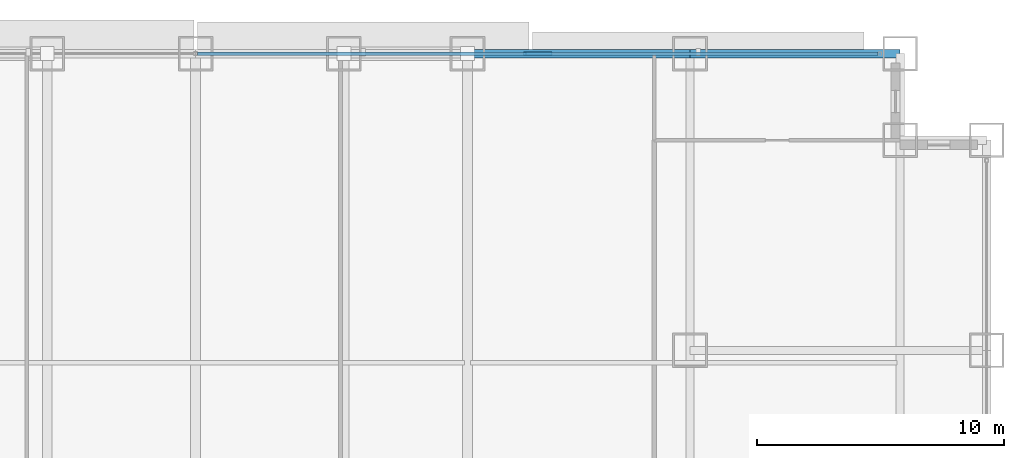
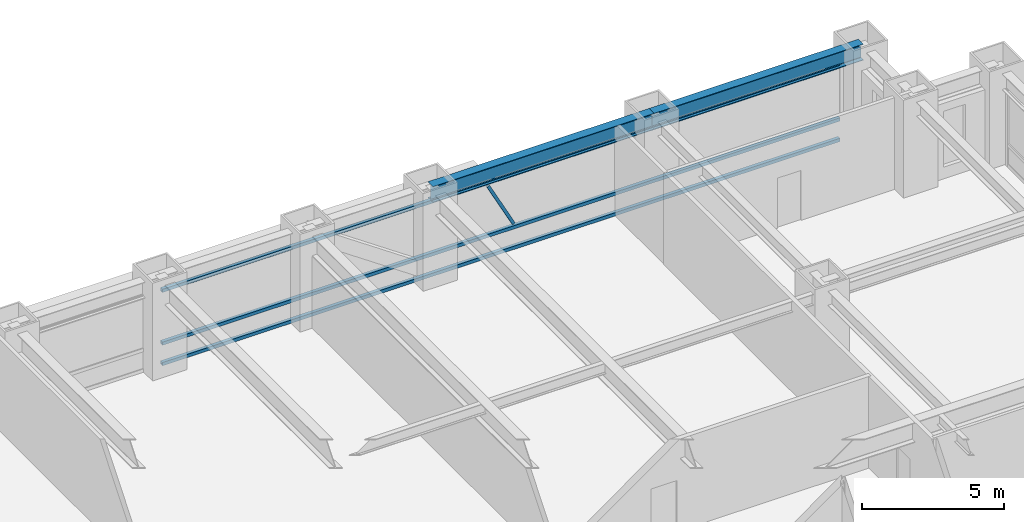
# One storey, part 20 of 32: 4 members, 2 beams, 1 element without a shape of its own.
"""IFC4 building model written with IfcOpenShell, lengths in metres."""

from ifc_helpers import new_model, si_unit, direction, frame, origin, origin_2d, place, context, subcontext, project, spatial, hollow_rectangle, i_section, extrude, source, transform, mapped, material, material_profile, profile_set, type_object, element, aggregate, save


model = new_model("IFC4")

# Units and contexts
model_context = context("Model", 3, precision=1e-05, world=origin(), true_north=direction((0.0, 1.0)))
body_context = subcontext(model_context, "Body", "Model", "MODEL_VIEW")
ifc_project = project(units=[si_unit("LENGTHUNIT", "METRE"), si_unit("AREAUNIT", "SQUARE_METRE"), si_unit("VOLUMEUNIT", "CUBIC_METRE"), si_unit("PLANEANGLEUNIT", "RADIAN"), si_unit("MASSUNIT", "GRAM", prefix="KILO")], contexts=[model_context])

# Site, building, storey
site_placement = place(None, origin())
site = spatial("IfcSite", under=ifc_project, at=site_placement, CompositionType="ELEMENT")
building_placement = place(site_placement, origin())
building = spatial("IfcBuilding", under=site, at=building_placement, Name="Khorayat Bourse Tower", CompositionType="ELEMENT")
storey_placement = place(building_placement, frame((0.0, 0.0, 74.60009765625)))
storey = spatial("IfcBuildingStorey", under=building, at=storey_placement, Name="L16", CompositionType="ELEMENT", Elevation=74.60009765625)

# Beams
ifc_material_1 = material(Name="Steel ASTM A992 Grade 50", Category="steel")
ifc_material_profile_1 = material_profile(ifc_material_1, i_section(OverallWidth=0.35498046875, OverallDepth=0.695068359375, WebThickness=0.015380859375, FlangeThickness=0.02490234375, FilletRadius=0.01806640625, at=origin_2d()), Name="W690X217")
ifc_profile_set_1 = profile_set([ifc_material_profile_1], Name="Steel ASTM A992 Grade 50")
beam_type = type_object("IfcBeamType", Name="BM-SPAN-690", PredefinedType="SPANDREL", material=ifc_profile_set_1)
shared_shape_1 = source(origin(), body_context, "Body", "SweptSolid", [
    extrude(i_section(OverallWidth=0.35498046875, OverallDepth=0.695068359375, WebThickness=0.015380859375, FlangeThickness=0.02490234375, FilletRadius=0.01806640625, at=origin_2d()), origin(), (0.0, 0.0, 1.0), 8.5),
])
beam_1_placement = place(storey_placement, frame((20.0, 32.0, 3.59228515625), z_axis=(1.0, 0.0, 0.0), x_axis=(0.0, 1.0, 0.0)))
element("IfcBeam", 1, at=beam_1_placement, inside=storey, type_object=beam_type, Name="L16 BM-SPAN-690 BM-L16-SPN-044", PredefinedType="SPANDREL", context=body_context, shape_type="MappedRepresentation", body=[
    mapped(shared_shape_1, transform((0.0, 0.0, 0.0), scale=1.0)),
])
shared_shape_2 = source(origin(), body_context, "Body", "SweptSolid", [
    extrude(i_section(OverallWidth=0.35498046875, OverallDepth=0.695068359375, WebThickness=0.015380859375, FlangeThickness=0.02490234375, FilletRadius=0.01806640625, at=origin_2d()), origin(), (0.0, 0.0, 1.0), 9.0),
])
beam_2_placement = place(storey_placement, frame((11.0, 32.0, 3.59228515625), z_axis=(1.0, 0.0, 0.0), x_axis=(0.0, 1.0, 0.0)))
element("IfcBeam", 2, at=beam_2_placement, inside=storey, type_object=beam_type, Name="L16 BM-SPAN-690 BM-L16-SPN-045", PredefinedType="SPANDREL", context=body_context, shape_type="MappedRepresentation", body=[
    mapped(shared_shape_2, transform((0.0, 0.0, 0.0), scale=1.0)),
])

# Curtain wall, members
ifc_material_2 = material(Name="Aluminium EN AW-6063 T6", Category="aluminium")
curtain_wall_type = type_object("IfcCurtainWallType", Name="CW-SYS-02", PredefinedType="NOTDEFINED", material=ifc_material_2)
curtain_wall_placement = place(storey_placement, origin())
curtain_wall = element("IfcCurtainWall", 3, at=curtain_wall_placement, inside=storey, type_object=curtain_wall_type, Name="L16 Curtain Wall CW-L16-N1", PredefinedType="NOTDEFINED")
ifc_material_profile_2 = material_profile(ifc_material_2, hollow_rectangle(XDim=0.1201171875, YDim=0.1201171875, WallThickness=0.0048828125, at=origin_2d()), Name="ALU 120x120x5")
ifc_profile_set_2 = profile_set([ifc_material_profile_2], Name="Aluminium EN AW-6063 T6")
member_type_1 = type_object("IfcMemberType", Name="CWM-DIAG-120", PredefinedType="MULLION", material=ifc_profile_set_2)
shared_shape_3 = source(origin(), body_context, "Body", "SweptSolid", [
    extrude(hollow_rectangle(XDim=0.1201171875, YDim=0.1201171875, WallThickness=0.0048828125, at=origin_2d()), origin(), (0.0, 0.0, 1.0), 2.22607421875),
])
member_1_placement = place(storey_placement, frame((14.3583984375, 32.0, 1.099853515625), z_axis=(-0.465759992596, 0.0, 0.884911085532), x_axis=(0.0, -1.0, 0.0)))
member_1 = element("IfcMember", 4, at=member_1_placement, type_object=member_type_1, Name="CW-L16-N1 Faceted Diagonal Mullion 2", PredefinedType="MULLION", context=body_context, shape_type="MappedRepresentation", body=[
    mapped(shared_shape_3, transform((0.0, 0.0, 0.0), scale=1.0)),
])
ifc_material_profile_3 = material_profile(ifc_material_2, hollow_rectangle(XDim=0.139892578125, YDim=0.139892578125, WallThickness=0.006103515625, at=origin_2d()), Name="ALU 140x140x6")
ifc_profile_set_3 = profile_set([ifc_material_profile_3], Name="Aluminium EN AW-6063 T6")
member_type_2 = type_object("IfcMemberType", Name="CWT-HORZ-140", PredefinedType="USERDEFINED", material=ifc_profile_set_3)
shared_shape_4 = source(origin(), body_context, "Body", "SweptSolid", [
    extrude(hollow_rectangle(XDim=0.139892578125, YDim=0.139892578125, WallThickness=0.006103515625, at=origin_2d()), origin(), (0.0, 0.0, 1.0), 27.5400390625),
])
member_2_placement = place(storey_placement, frame((0.070068359375, 32.0, 0.06982421875), z_axis=(1.0, 0.0, 0.0), x_axis=(0.0, 1.0, 0.0)))
member_2 = element("IfcMember", 5, at=member_2_placement, type_object=member_type_2, Name="CW-L16-N1 Horizontal Transom 2-1", ObjectType="TRANSOM", PredefinedType="USERDEFINED", context=body_context, shape_type="MappedRepresentation", body=[
    mapped(shared_shape_4, transform((0.0, 0.0, 0.0), scale=1.0)),
])
member_3_placement = place(storey_placement, frame((0.070068359375, 32.0, 0.949951171875), z_axis=(1.0, 0.0, 0.0), x_axis=(0.0, 1.0, 0.0)))
member_3 = element("IfcMember", 6, at=member_3_placement, type_object=member_type_2, Name="CW-L16-N1 Horizontal Transom 2-2", ObjectType="TRANSOM", PredefinedType="USERDEFINED", context=body_context, shape_type="MappedRepresentation", body=[
    mapped(shared_shape_4, transform((0.0, 0.0, 0.0), scale=1.0)),
])
member_4_placement = place(storey_placement, frame((0.070068359375, 32.0, 3.219970703125), z_axis=(1.0, 0.0, 0.0), x_axis=(0.0, 1.0, 0.0)))
member_4 = element("IfcMember", 7, at=member_4_placement, type_object=member_type_2, Name="CW-L16-N1 Horizontal Transom 2-3", ObjectType="TRANSOM", PredefinedType="USERDEFINED", context=body_context, shape_type="MappedRepresentation", body=[
    mapped(shared_shape_4, transform((0.0, 0.0, 0.0), scale=1.0)),
])
aggregate(curtain_wall, [member_2, member_3, member_4, member_1])

save(model, "model.ifc")
